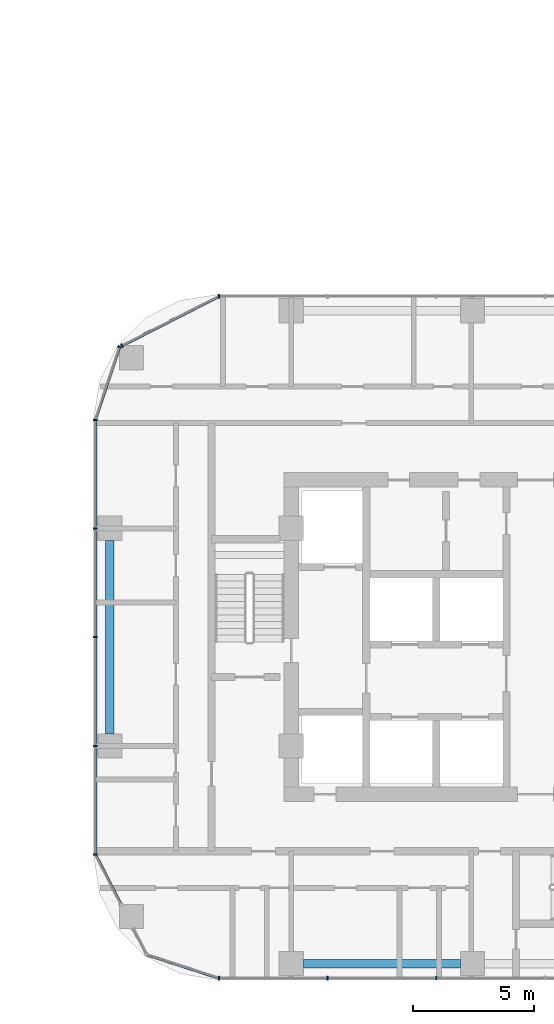
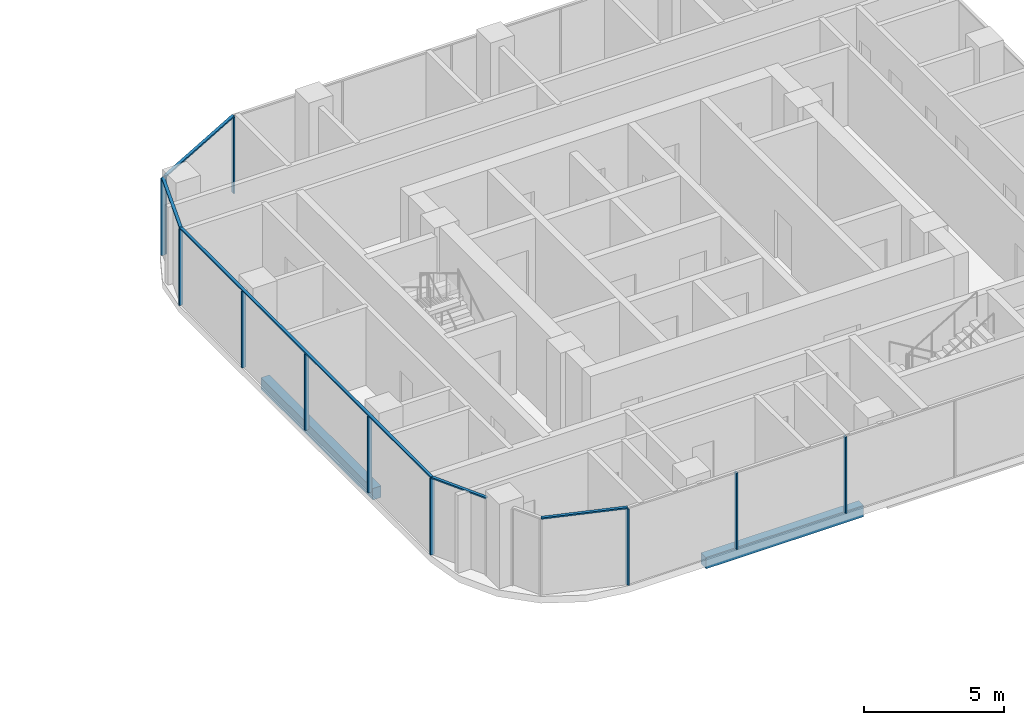
# One storey, part 6 of 30: 16 members, 2 beams, 7 elements without a shape of their own.
"""IFC4 building model written with IfcOpenShell, lengths in metres."""

from ifc_helpers import new_model, si_unit, direction, frame, origin, origin_2d, place, context, subcontext, project, spatial, rectangle, extrude, material, material_profile, profile_set, type_object, element, aggregate, save


model = new_model("IFC4")

# Units and contexts
model_context = context("Model", 3, precision=1e-05, world=origin(), true_north=direction((0.0, 1.0)))
body_context = subcontext(model_context, "Body", "Model", "MODEL_VIEW")
ifc_project = project(units=[si_unit("LENGTHUNIT", "METRE"), si_unit("AREAUNIT", "SQUARE_METRE"), si_unit("VOLUMEUNIT", "CUBIC_METRE"), si_unit("PLANEANGLEUNIT", "RADIAN"), si_unit("MASSUNIT", "GRAM", prefix="KILO")], contexts=[model_context])

# Site, building, storey
site_placement = place(None, origin())
site = spatial("IfcSite", under=ifc_project, at=site_placement, CompositionType="ELEMENT")
building_placement = place(site_placement, origin())
building = spatial("IfcBuilding", under=site, at=building_placement, Name="Ogive Portal Towers", CompositionType="ELEMENT")
storey_placement = place(building_placement, frame((0.0, 0.0, 37.199951171875)))
storey = spatial("IfcBuildingStorey", under=building, at=storey_placement, Name="L07", CompositionType="ELEMENT", Elevation=37.199951171875)

# Curtain wall, members
ifc_material_1 = material(Name="Glass, clear low-iron insulated glazing", Category="glass")
curtain_wall_type = type_object("IfcCurtainWallType", Name="CW RESIDENCES RIBBON", PredefinedType="NOTDEFINED", material=ifc_material_1)
curtain_wall_1_placement = place(storey_placement, origin())
curtain_wall_1 = element("IfcCurtainWall", 1, at=curtain_wall_1_placement, inside=storey, type_object=curtain_wall_type, Name="B:L07:f02:cw0", PredefinedType="NOTDEFINED")
ifc_material_2 = material(Name="Aluminium 6063 anodised", Category="aluminium")
ifc_material_profile_1 = material_profile(ifc_material_2, rectangle(XDim=0.159912109375, YDim=0.06005859375, at=origin_2d()), Name="AL 60x160")
ifc_profile_set_1 = profile_set([ifc_material_profile_1], Name="Aluminium 6063 anodised")
member_type_1 = type_object("IfcMemberType", Name="CW MULLION 60x160", PredefinedType="MULLION", material=ifc_profile_set_1)
member_1_placement = place(storey_placement, frame((126.0126953125, 16.89990234375, 0.0), z_axis=(0.0, 0.0, 1.0), x_axis=(0.0, 1.0, 0.0)))
member_1 = element("IfcMember", 2, at=member_1_placement, type_object=member_type_1, Name="mullion", PredefinedType="MULLION", context=body_context, shape_type="SweptSolid", body=[
    extrude(rectangle(XDim=0.159912109375, YDim=0.06005859375, at=origin_2d()), origin(), (0.0, 0.0, 1.0), 3.340087890625),
])
member_2_placement = place(storey_placement, frame((130.5, 16.89990234375, 0.0), z_axis=(0.0, 0.0, 1.0), x_axis=(0.0, 1.0, 0.0)))
member_2 = element("IfcMember", 3, at=member_2_placement, type_object=member_type_1, Name="mullion", PredefinedType="MULLION", context=body_context, shape_type="SweptSolid", body=[
    extrude(rectangle(XDim=0.159912109375, YDim=0.06005859375, at=origin_2d()), origin(), (0.0, 0.0, 1.0), 3.340087890625),
])
member_3_placement = place(storey_placement, frame((135.0, 16.89990234375, 0.0), z_axis=(0.0, 0.0, 1.0), x_axis=(0.0, 1.0, 0.0)))
member_3 = element("IfcMember", 4, at=member_3_placement, type_object=member_type_1, Name="mullion", PredefinedType="MULLION", context=body_context, shape_type="SweptSolid", body=[
    extrude(rectangle(XDim=0.159912109375, YDim=0.06005859375, at=origin_2d()), origin(), (0.0, 0.0, 1.0), 3.340087890625),
])
aggregate(curtain_wall_1, [member_1, member_2, member_3])

# Curtain wall, member
curtain_wall_2_placement = place(storey_placement, origin())
curtain_wall_2 = element("IfcCurtainWall", 5, at=curtain_wall_2_placement, inside=storey, type_object=curtain_wall_type, Name="B:L07:f08:cw0", PredefinedType="NOTDEFINED")
member_4_placement = place(storey_placement, frame((126.019287109375, 45.10009765625, 0.0), z_axis=(0.0, 0.0, 1.0), x_axis=(0.0, -1.0, 0.0)))
member_4 = element("IfcMember", 6, at=member_4_placement, type_object=member_type_1, Name="mullion", PredefinedType="MULLION", context=body_context, shape_type="SweptSolid", body=[
    extrude(rectangle(XDim=0.159912109375, YDim=0.06005859375, at=origin_2d()), origin(), (0.0, 0.0, 1.0), 3.340087890625),
])
aggregate(curtain_wall_2, [member_4])

# Curtain wall, members
curtain_wall_3_placement = place(storey_placement, origin())
curtain_wall_3 = element("IfcCurtainWall", 7, at=curtain_wall_3_placement, inside=storey, type_object=curtain_wall_type, Name="B:L07:f11:cw0", PredefinedType="NOTDEFINED")
member_5_placement = place(storey_placement, frame((120.89990234375, 39.9873046875, 0.0), z_axis=(0.0, 0.0, 1.0), x_axis=(1.0, 0.0, 0.0)))
member_5 = element("IfcMember", 8, at=member_5_placement, type_object=member_type_1, Name="mullion", PredefinedType="MULLION", context=body_context, shape_type="SweptSolid", body=[
    extrude(rectangle(XDim=0.159912109375, YDim=0.06005859375, at=origin_2d()), origin(), (0.0, 0.0, 1.0), 3.340087890625),
])
member_6_placement = place(storey_placement, frame((120.89990234375, 35.5, 0.0), z_axis=(0.0, 0.0, 1.0), x_axis=(1.0, 0.0, 0.0)))
member_6 = element("IfcMember", 9, at=member_6_placement, type_object=member_type_1, Name="mullion", PredefinedType="MULLION", context=body_context, shape_type="SweptSolid", body=[
    extrude(rectangle(XDim=0.159912109375, YDim=0.06005859375, at=origin_2d()), origin(), (0.0, 0.0, 1.0), 3.340087890625),
])
member_7_placement = place(storey_placement, frame((120.89990234375, 31.0, 0.0), z_axis=(0.0, 0.0, 1.0), x_axis=(1.0, 0.0, 0.0)))
member_7 = element("IfcMember", 10, at=member_7_placement, type_object=member_type_1, Name="mullion", PredefinedType="MULLION", context=body_context, shape_type="SweptSolid", body=[
    extrude(rectangle(XDim=0.159912109375, YDim=0.06005859375, at=origin_2d()), origin(), (0.0, 0.0, 1.0), 3.340087890625),
])
member_8_placement = place(storey_placement, frame((120.89990234375, 26.5, 0.0), z_axis=(0.0, 0.0, 1.0), x_axis=(1.0, 0.0, 0.0)))
member_8 = element("IfcMember", 11, at=member_8_placement, type_object=member_type_1, Name="mullion", PredefinedType="MULLION", context=body_context, shape_type="SweptSolid", body=[
    extrude(rectangle(XDim=0.159912109375, YDim=0.06005859375, at=origin_2d()), origin(), (0.0, 0.0, 1.0), 3.340087890625),
])
member_9_placement = place(storey_placement, frame((120.89990234375, 22.019287109375, 0.0), z_axis=(0.0, 0.0, 1.0), x_axis=(1.0, 0.0, 0.0)))
member_9 = element("IfcMember", 12, at=member_9_placement, type_object=member_type_1, Name="mullion", PredefinedType="MULLION", context=body_context, shape_type="SweptSolid", body=[
    extrude(rectangle(XDim=0.159912109375, YDim=0.06005859375, at=origin_2d()), origin(), (0.0, 0.0, 1.0), 3.340087890625),
])

# Curtain wall, member
curtain_wall_4_placement = place(storey_placement, origin())
curtain_wall_4 = element("IfcCurtainWall", 13, at=curtain_wall_4_placement, inside=storey, type_object=curtain_wall_type, Name="B:L07:f09:cwa~0", PredefinedType="NOTDEFINED")
member_10_placement = place(storey_placement, frame((122.011474609375, 43.05810546875, 0.0), z_axis=(0.0, 0.0, 1.0), x_axis=(0.45399049974, -0.891006524188, 0.0)))
member_10 = element("IfcMember", 14, at=member_10_placement, type_object=member_type_1, Name="mullion", PredefinedType="MULLION", context=body_context, shape_type="SweptSolid", body=[
    extrude(rectangle(XDim=0.159912109375, YDim=0.06005859375, at=origin_2d()), origin(), (0.0, 0.0, 1.0), 3.340087890625),
])

curtain_wall_5_placement = place(storey_placement, origin())
curtain_wall_5 = element("IfcCurtainWall", 15, at=curtain_wall_5_placement, inside=storey, type_object=curtain_wall_type, Name="B:L07:f09:cwa~1", PredefinedType="NOTDEFINED")
member_11_placement = place(storey_placement, frame((121.90087890625, 43.001708984375, 0.0), z_axis=(0.0, 0.0, 1.0), x_axis=(0.949039718769, -0.315156488428, 0.0)))
member_11 = element("IfcMember", 16, at=member_11_placement, type_object=member_type_1, Name="mullion", PredefinedType="MULLION", context=body_context, shape_type="SweptSolid", body=[
    extrude(rectangle(XDim=0.159912109375, YDim=0.06005859375, at=origin_2d()), origin(), (0.0, 0.0, 1.0), 3.340087890625),
])

# Member
ifc_material_profile_2 = material_profile(ifc_material_2, rectangle(XDim=0.1201171875, YDim=0.06005859375, at=origin_2d()), Name="AL 120x60")
ifc_profile_set_2 = profile_set([ifc_material_profile_2], Name="Aluminium 6063 anodised")
member_type_2 = type_object("IfcMemberType", Name="CW TRANSOM 60x120", PredefinedType="USERDEFINED", material=ifc_profile_set_2)
member_12_placement = place(storey_placement, frame((120.89990234375, 39.9873046875, 3.3701171875), z_axis=(0.0, -1.0, 0.0), x_axis=(1.0, 0.0, 0.0)))
member_12 = element("IfcMember", 17, at=member_12_placement, type_object=member_type_2, Name="transom", ObjectType="TRANSOM", PredefinedType="USERDEFINED", context=body_context, shape_type="SweptSolid", body=[
    extrude(rectangle(XDim=0.1201171875, YDim=0.06005859375, at=origin_2d()), origin(), (0.0, 0.0, 1.0), 17.968017578125),
])

aggregate(curtain_wall_3, [member_12, member_5, member_6, member_7, member_8, member_9])

# Curtain wall, member
curtain_wall_6_placement = place(storey_placement, origin())
curtain_wall_6 = element("IfcCurtainWall", 18, at=curtain_wall_6_placement, inside=storey, type_object=curtain_wall_type, Name="B:L07:f00:cwa~0", PredefinedType="NOTDEFINED")
member_13_placement = place(storey_placement, frame((120.89990234375, 22.019287109375, 3.3701171875), z_axis=(0.454027737199, -0.890987549775, 0.0), x_axis=(0.890987549775, 0.454027737199, 0.0)))
member_13 = element("IfcMember", 19, at=member_13_placement, type_object=member_type_2, Name="transom", ObjectType="TRANSOM", PredefinedType="USERDEFINED", context=body_context, shape_type="SweptSolid", body=[
    extrude(rectangle(XDim=0.1201171875, YDim=0.06005859375, at=origin_2d()), origin(), (0.0, 0.0, 1.0), 2.33154296875),
])
aggregate(curtain_wall_6, [member_13])

curtain_wall_7_placement = place(storey_placement, origin())
curtain_wall_7 = element("IfcCurtainWall", 20, at=curtain_wall_7_placement, inside=storey, type_object=curtain_wall_type, Name="B:L07:f00:cwa~1", PredefinedType="NOTDEFINED")
member_14_placement = place(storey_placement, frame((123.011474609375, 17.875244140625, 3.3701171875), z_axis=(0.951039185402, -0.309070328291, 0.0), x_axis=(0.309070328291, 0.951039185402, 0.0)))
member_14 = element("IfcMember", 21, at=member_14_placement, type_object=member_type_2, Name="transom", ObjectType="TRANSOM", PredefinedType="USERDEFINED", context=body_context, shape_type="SweptSolid", body=[
    extrude(rectangle(XDim=0.1201171875, YDim=0.06005859375, at=origin_2d()), origin(), (0.0, 0.0, 1.0), 3.15576171875),
])
aggregate(curtain_wall_7, [member_14])

# Member
member_15_placement = place(storey_placement, frame((126.019287109375, 45.10009765625, 3.3701171875), z_axis=(-0.89101464276, -0.453974565792, 0.0), x_axis=(0.453974565792, -0.89101464276, 0.0)))
member_15 = element("IfcMember", 22, at=member_15_placement, type_object=member_type_2, Name="transom", ObjectType="TRANSOM", PredefinedType="USERDEFINED", context=body_context, shape_type="SweptSolid", body=[
    extrude(rectangle(XDim=0.1201171875, YDim=0.06005859375, at=origin_2d()), origin(), (0.0, 0.0, 1.0), 4.498046875),
])

aggregate(curtain_wall_4, [member_15, member_10])

member_16_placement = place(storey_placement, frame((121.90087890625, 43.001708984375, 3.3701171875), z_axis=(-0.315143772541, -0.949043941358, 0.0), x_axis=(0.949043941358, -0.315143772541, 0.0)))
member_16 = element("IfcMember", 23, at=member_16_placement, type_object=member_type_2, Name="transom", ObjectType="TRANSOM", PredefinedType="USERDEFINED", context=body_context, shape_type="SweptSolid", body=[
    extrude(rectangle(XDim=0.1201171875, YDim=0.06005859375, at=origin_2d()), origin(), (0.0, 0.0, 1.0), 3.17626953125),
])

aggregate(curtain_wall_5, [member_16, member_11])

# Beams
ifc_material_3 = material(Name="Concrete C50/60", Category="concrete")
ifc_material_profile_3 = material_profile(ifc_material_3, rectangle(XDim=0.35009765625, YDim=0.5, at=origin_2d()), Name="RC 350x500")
ifc_profile_set_3 = profile_set([ifc_material_profile_3], Name="Concrete C50/60")
beam_type = type_object("IfcBeamType", Name="SPANDREL BEAM RC 350x500", PredefinedType="BEAM", material=ifc_profile_set_3)
beam_1_placement = place(storey_placement, frame((129.5, 17.5, -0.550048828125), z_axis=(1.0, 0.0, 0.0), x_axis=(0.0, 1.0, 0.0)))
element("IfcBeam", 24, at=beam_1_placement, inside=storey, type_object=beam_type, Name="Spandrel beam L07", PredefinedType="BEAM", context=body_context, shape_type="SweptSolid", body=[
    extrude(rectangle(XDim=0.35009765625, YDim=0.5, at=origin_2d()), origin(), (0.0, 0.0, 1.0), 6.5),
])
beam_2_placement = place(storey_placement, frame((121.5, 35.0, -0.550048828125), z_axis=(0.0, -1.0, 0.0), x_axis=(1.0, 0.0, 0.0)))
element("IfcBeam", 25, at=beam_2_placement, inside=storey, type_object=beam_type, Name="Spandrel beam L07", PredefinedType="BEAM", context=body_context, shape_type="SweptSolid", body=[
    extrude(rectangle(XDim=0.35009765625, YDim=0.5, at=origin_2d()), origin(), (0.0, 0.0, 1.0), 8.0),
])

save(model, "model.ifc")
